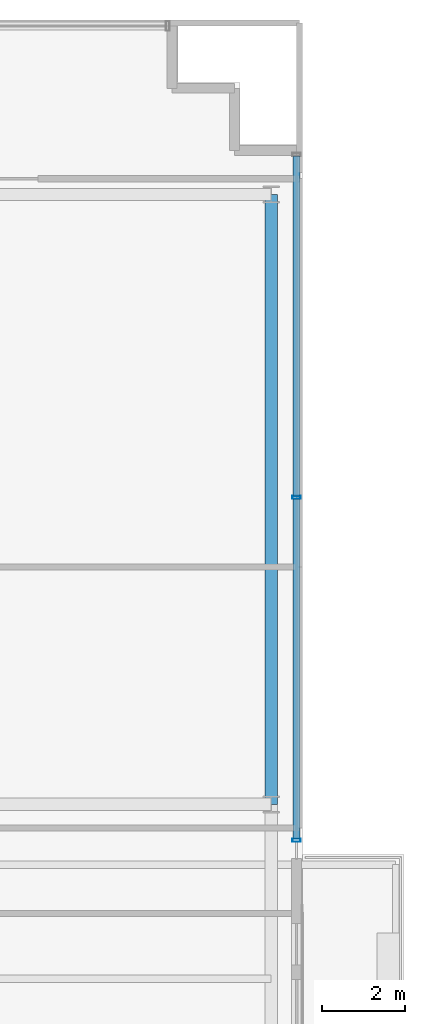
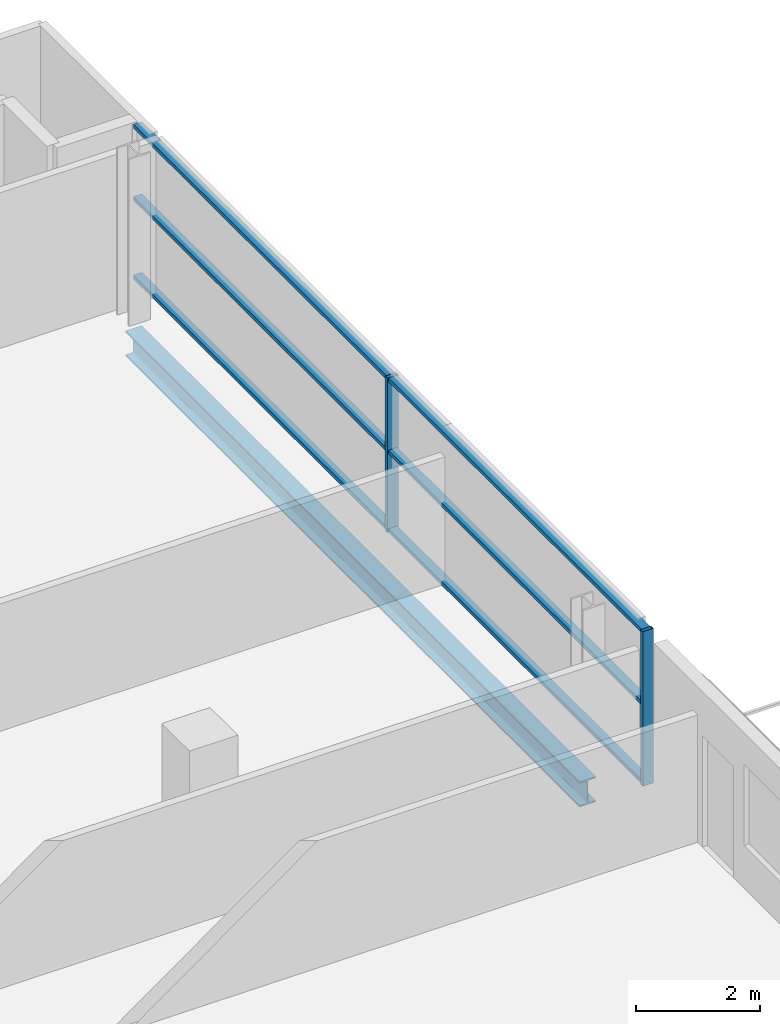
# One storey, part 11 of 24: 8 members, 1 beam, 1 element without a shape of its own.
"""IFC4 building model written with IfcOpenShell, lengths in metres."""

from ifc_helpers import new_model, si_unit, direction, frame, origin, origin_2d, place, context, subcontext, project, spatial, hollow_rectangle, i_section, extrude, source, transform, mapped, material, layer, layer_set, material_profile, profile_set, type_object, element, aggregate, save


model = new_model("IFC4")

# Units and contexts
model_context = context("Model", 3, precision=1e-05, world=origin(), true_north=direction((0.0, 1.0)))
body_context = subcontext(model_context, "Body", "Model", "MODEL_VIEW")
ifc_project = project(units=[si_unit("LENGTHUNIT", "METRE"), si_unit("AREAUNIT", "SQUARE_METRE"), si_unit("VOLUMEUNIT", "CUBIC_METRE"), si_unit("PLANEANGLEUNIT", "RADIAN"), si_unit("MASSUNIT", "GRAM", prefix="KILO")], contexts=[model_context])

# Site, building, storey
site_placement = place(None, origin())
site = spatial("IfcSite", under=ifc_project, at=site_placement, CompositionType="ELEMENT")
building_placement = place(site_placement, origin())
building = spatial("IfcBuilding", under=site, at=building_placement, Name="Zarnakvel Exchange Tower", CompositionType="ELEMENT")
storey_placement = place(building_placement, frame((0.0, 0.0, 119.800048828125)))
storey = spatial("IfcBuildingStorey", under=building, at=storey_placement, Name="L33", CompositionType="ELEMENT", Elevation=119.800048828125)

# Beam
ifc_material_1 = material(Name="Steel S355", Category="steel")
ifc_material_profile_1 = material_profile(ifc_material_1, i_section(OverallWidth=0.300048828125, OverallDepth=0.5, WebThickness=0.014404296875, FlangeThickness=0.028076171875, FilletRadius=0.027099609375, at=origin_2d()))
ifc_profile_set_1 = profile_set([ifc_material_profile_1], Name="Steel S355")
beam_type = type_object("IfcBeamType", Name="SP-02", PredefinedType="SPANDREL", material=ifc_profile_set_1)
beam_placement = place(storey_placement, frame((28.85009765625, -1.199951171875, -0.47509765625), z_axis=(0.0, 1.0, 0.0), x_axis=(-1.0, 0.0, 0.0)))
element("IfcBeam", 1, at=beam_placement, inside=storey, type_object=beam_type, Name="L33 Tower N-S Frame Beam", PredefinedType="SPANDREL", context=body_context, shape_type="SweptSolid", body=[
    extrude(i_section(OverallWidth=0.300048828125, OverallDepth=0.5, WebThickness=0.014404296875, FlangeThickness=0.028076171875, FilletRadius=0.027099609375, at=origin_2d()), origin(), (0.0, 0.0, 1.0), 14.699951171875),
])

# Curtain wall, members
ifc_material_2 = material(Name="Architectural Bronze Anodised Aluminium", Category="aluminium")
ifc_layer = layer(ifc_material_2, 0.199951171875)
ifc_layer_set = layer_set([ifc_layer], Name="Architectural Bronze Anodised Aluminium")
curtain_wall_type = type_object("IfcCurtainWallType", Name="CW-04", PredefinedType="NOTDEFINED", material=ifc_layer_set)
curtain_wall_placement = place(storey_placement, origin())
curtain_wall = element("IfcCurtainWall", 2, at=curtain_wall_placement, inside=storey, type_object=curtain_wall_type, Name="L33 Curtain Wall CW-L33-EN (CW-04)", PredefinedType="NOTDEFINED")
ifc_material_profile_2 = material_profile(ifc_material_2, hollow_rectangle(XDim=0.199951171875, YDim=0.074951171875, WallThickness=0.0048828125, at=origin_2d()))
ifc_profile_set_2 = profile_set([ifc_material_profile_2], Name="Architectural Bronze Anodised Aluminium")
member_type_1 = type_object("IfcMemberType", Name="CWM-04", PredefinedType="MULLION", material=ifc_profile_set_2)
shared_shape_1 = source(origin(), body_context, "Body", "SweptSolid", [
    extrude(hollow_rectangle(XDim=0.199951171875, YDim=0.074951171875, WallThickness=0.0048828125, at=origin_2d()), origin(), (0.0, 0.0, 1.0), 3.054931640625),
])
member_1_placement = place(storey_placement, frame((29.4599609375, -2.0625, 0.0), z_axis=(0.0, 0.0, 1.0), x_axis=(-1.0, 0.0, 0.0)))
member_1 = element("IfcMember", 3, at=member_1_placement, type_object=member_type_1, Name="CW-04 mullion 1", PredefinedType="MULLION", context=body_context, shape_type="MappedRepresentation", body=[
    mapped(shared_shape_1, transform((0.0, 0.0, 0.0), x_axis=(1.0, 0.0, 0.0), y_axis=(0.0, 1.0, 0.0), z_axis=(0.0, 0.0, 1.0), scale=1.0)),
])
member_2_placement = place(storey_placement, frame((29.4599609375, 6.199951171875, 0.0), z_axis=(0.0, 0.0, 1.0), x_axis=(-1.0, 0.0, 0.0)))
member_2 = element("IfcMember", 4, at=member_2_placement, type_object=member_type_1, Name="CW-04 mullion 2", PredefinedType="MULLION", context=body_context, shape_type="MappedRepresentation", body=[
    mapped(shared_shape_1, transform((0.0, 0.0, 0.0), x_axis=(1.0, 0.0, 0.0), y_axis=(0.0, 1.0, 0.0), z_axis=(0.0, 0.0, 1.0), scale=1.0)),
])
ifc_material_profile_3 = material_profile(ifc_material_2, hollow_rectangle(XDim=0.159912109375, YDim=0.074951171875, WallThickness=0.00390625, at=origin_2d()))
ifc_profile_set_3 = profile_set([ifc_material_profile_3], Name="Architectural Bronze Anodised Aluminium")
member_type_2 = type_object("IfcMemberType", Name="CWT-04", PredefinedType="USERDEFINED", material=ifc_profile_set_3)
shared_shape_2 = source(origin(), body_context, "Body", "SweptSolid", [
    extrude(hollow_rectangle(XDim=0.159912109375, YDim=0.074951171875, WallThickness=0.00390625, at=origin_2d()), origin(), (0.0, 0.0, 1.0), 8.1875),
])
member_3_placement = place(storey_placement, frame((29.4599609375, -2.02490234375, 0.037353515625), z_axis=(0.0, 1.0, 0.0), x_axis=(-1.0, 0.0, 0.0)))
member_3 = element("IfcMember", 5, at=member_3_placement, type_object=member_type_2, Name="CW-04 transom 1.1", ObjectType="TRANSOM", PredefinedType="USERDEFINED", context=body_context, shape_type="MappedRepresentation", body=[
    mapped(shared_shape_2, transform((0.0, 0.0, 0.0), x_axis=(1.0, 0.0, 0.0), y_axis=(0.0, 1.0, 0.0), z_axis=(0.0, 0.0, 1.0), scale=1.0)),
])
member_4_placement = place(storey_placement, frame((29.4599609375, -2.02490234375, 1.588623046875), z_axis=(0.0, 1.0, 0.0), x_axis=(-1.0, 0.0, 0.0)))
member_4 = element("IfcMember", 6, at=member_4_placement, type_object=member_type_2, Name="CW-04 transom 1.2", ObjectType="TRANSOM", PredefinedType="USERDEFINED", context=body_context, shape_type="MappedRepresentation", body=[
    mapped(shared_shape_2, transform((0.0, 0.0, 0.0), x_axis=(1.0, 0.0, 0.0), y_axis=(0.0, 1.0, 0.0), z_axis=(0.0, 0.0, 1.0), scale=1.0)),
])
member_5_placement = place(storey_placement, frame((29.4599609375, -2.02490234375, 3.017333984375), z_axis=(0.0, 1.0, 0.0), x_axis=(-1.0, 0.0, 0.0)))
member_5 = element("IfcMember", 7, at=member_5_placement, type_object=member_type_2, Name="CW-04 transom 1.3", ObjectType="TRANSOM", PredefinedType="USERDEFINED", context=body_context, shape_type="MappedRepresentation", body=[
    mapped(shared_shape_2, transform((0.0, 0.0, 0.0), x_axis=(1.0, 0.0, 0.0), y_axis=(0.0, 1.0, 0.0), z_axis=(0.0, 0.0, 1.0), scale=1.0)),
])
member_6_placement = place(storey_placement, frame((29.4599609375, 6.237548828125, 0.037353515625), z_axis=(0.0, 1.0, 0.0), x_axis=(-1.0, 0.0, 0.0)))
member_6 = element("IfcMember", 8, at=member_6_placement, type_object=member_type_2, Name="CW-04 transom 2.1", ObjectType="TRANSOM", PredefinedType="USERDEFINED", context=body_context, shape_type="MappedRepresentation", body=[
    mapped(shared_shape_2, transform((0.0, 0.0, 0.0), x_axis=(1.0, 0.0, 0.0), y_axis=(0.0, 1.0, 0.0), z_axis=(0.0, 0.0, 1.0), scale=1.0)),
])
member_7_placement = place(storey_placement, frame((29.4599609375, 6.237548828125, 1.588623046875), z_axis=(0.0, 1.0, 0.0), x_axis=(-1.0, 0.0, 0.0)))
member_7 = element("IfcMember", 9, at=member_7_placement, type_object=member_type_2, Name="CW-04 transom 2.2", ObjectType="TRANSOM", PredefinedType="USERDEFINED", context=body_context, shape_type="MappedRepresentation", body=[
    mapped(shared_shape_2, transform((0.0, 0.0, 0.0), x_axis=(1.0, 0.0, 0.0), y_axis=(0.0, 1.0, 0.0), z_axis=(0.0, 0.0, 1.0), scale=1.0)),
])
member_8_placement = place(storey_placement, frame((29.4599609375, 6.237548828125, 3.017333984375), z_axis=(0.0, 1.0, 0.0), x_axis=(-1.0, 0.0, 0.0)))
member_8 = element("IfcMember", 10, at=member_8_placement, type_object=member_type_2, Name="CW-04 transom 2.3", ObjectType="TRANSOM", PredefinedType="USERDEFINED", context=body_context, shape_type="MappedRepresentation", body=[
    mapped(shared_shape_2, transform((0.0, 0.0, 0.0), x_axis=(1.0, 0.0, 0.0), y_axis=(0.0, 1.0, 0.0), z_axis=(0.0, 0.0, 1.0), scale=1.0)),
])
aggregate(curtain_wall, [member_1, member_2, member_3, member_4, member_5, member_6, member_7, member_8])

save(model, "model.ifc")
